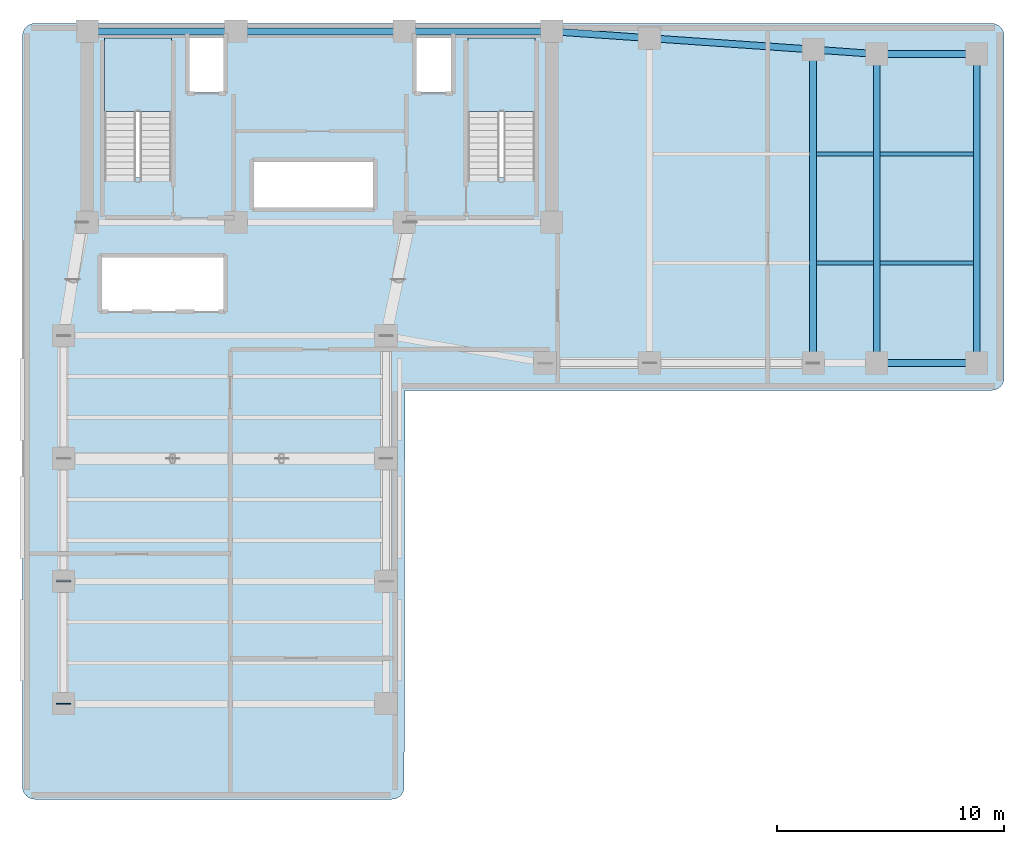
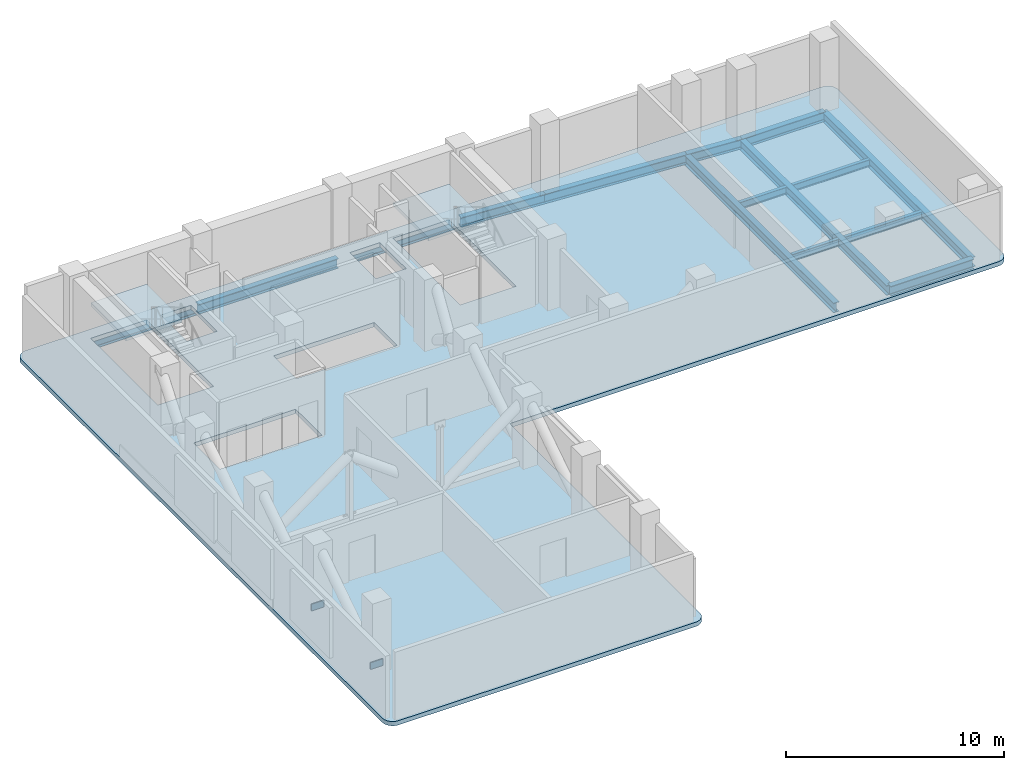
# One storey, part 3 of 6: 15 beams, 3 slabs, 2 plates, 2 elements without a shape of their own.
"""IFC4 building model written with IfcOpenShell, lengths in metres."""

from ifc_helpers import new_model, si_unit, direction, frame, origin, origin_2d, place, context, subcontext, project, spatial, polyline, rectangle, i_section, outline, extrude, material, layer, layer_set, material_profile, profile_set, type_object, element, aggregate, save


model = new_model("IFC4")

# Units and contexts
model_context = context("Model", 3, precision=1e-05, world=origin(), true_north=direction((0.0, 1.0)))
body_context = subcontext(model_context, "Body", "Model", "MODEL_VIEW")
ifc_project = project(units=[si_unit("LENGTHUNIT", "METRE"), si_unit("AREAUNIT", "SQUARE_METRE"), si_unit("VOLUMEUNIT", "CUBIC_METRE"), si_unit("PLANEANGLEUNIT", "RADIAN"), si_unit("MASSUNIT", "GRAM", prefix="KILO")], contexts=[model_context])

# Site, building, storey
site_placement = place(None, origin())
site = spatial("IfcSite", under=ifc_project, at=site_placement, CompositionType="ELEMENT")
building_placement = place(site_placement, origin())
building = spatial("IfcBuilding", under=site, at=building_placement, Name="Kuzgunbayir Cultural Tower", CompositionType="ELEMENT")
storey_placement = place(building_placement, frame((0.0, 0.0, 156.0)))
storey = spatial("IfcBuildingStorey", under=building, at=storey_placement, Name="L45", CompositionType="ELEMENT", Elevation=156.0)

# Beams
ifc_material_1 = material(Name="Steel S355J2", Category="steel")
ifc_material_profile_1 = material_profile(ifc_material_1, i_section(OverallWidth=0.300048828125, OverallDepth=0.550048828125, WebThickness=0.014892578125, FlangeThickness=0.029052734375, FilletRadius=0.027099609375, at=origin_2d()), Name="HEB 550")
ifc_profile_set_1 = profile_set([ifc_material_profile_1], Name="Steel S355J2")
beam_type_1 = type_object("IfcBeamType", Name="BM-EXT-HEB550", PredefinedType="BEAM", material=ifc_profile_set_1)
beam_1_placement = place(storey_placement, frame((26.89990234375, 42.199951171875, -0.52001953125), z_axis=(0.997574369175, -0.069608749203, 0.0), x_axis=(0.069608749203, 0.997574369175, 0.0)))
element("IfcBeam", 1, at=beam_1_placement, inside=storey, type_object=beam_type_1, Name="L45 Wing B North Girder 1", PredefinedType="BEAM", context=body_context, shape_type="SweptSolid", body=[
    extrude(i_section(OverallWidth=0.300048828125, OverallDepth=0.550048828125, WebThickness=0.014892578125, FlangeThickness=0.029052734375, FilletRadius=0.027099609375, at=origin_2d()), origin(), (0.0, 0.0, 1.0), 4.310546875),
])
beam_2_placement = place(storey_placement, frame((31.199951171875, 41.89990234375, -0.52001953125), z_axis=(0.997597388498, -0.069278066245, 0.0), x_axis=(0.069278066245, 0.997597388498, 0.0)))
element("IfcBeam", 2, at=beam_2_placement, inside=storey, type_object=beam_type_1, Name="L45 Wing B North Girder 2", PredefinedType="BEAM", context=body_context, shape_type="SweptSolid", body=[
    extrude(i_section(OverallWidth=0.300048828125, OverallDepth=0.550048828125, WebThickness=0.014892578125, FlangeThickness=0.029052734375, FilletRadius=0.027099609375, at=origin_2d()), origin(), (0.0, 0.0, 1.0), 7.21728515625),
])
beam_3_placement = place(storey_placement, frame((38.39990234375, 41.39990234375, -0.52001953125), z_axis=(0.997460024076, -0.071228508128, 0.0), x_axis=(0.071228508128, 0.997460024076, 0.0)))
element("IfcBeam", 3, at=beam_3_placement, inside=storey, type_object=beam_type_1, Name="L45 Wing B North Girder 3", PredefinedType="BEAM", context=body_context, shape_type="SweptSolid", body=[
    extrude(i_section(OverallWidth=0.300048828125, OverallDepth=0.550048828125, WebThickness=0.014892578125, FlangeThickness=0.029052734375, FilletRadius=0.027099609375, at=origin_2d()), origin(), (0.0, 0.0, 1.0), 2.80712890625),
])
for number, where, z_axis, x_axis, name in (
    (4, (41.199951171875, 27.60009765625, -0.52001953125), (1.0, 0.0, 0.0), (0.0, 1.0, 0.0), "L45 Wing B South Girder 4"),
    (5, (41.199951171875, 41.199951171875, -0.52001953125), (1.0, 0.0, 0.0), (0.0, 1.0, 0.0), "L45 Wing B North Girder 4"),
):
    element("IfcBeam", number, at=place(storey_placement, frame(where, z_axis=z_axis, x_axis=x_axis)), inside=storey, type_object=beam_type_1, Name=name, PredefinedType="BEAM", context=body_context, shape_type="SweptSolid", body=[
        extrude(i_section(OverallWidth=0.300048828125, OverallDepth=0.550048828125, WebThickness=0.014892578125, FlangeThickness=0.029052734375, FilletRadius=0.027099609375, at=origin_2d()), origin(), (0.0, 0.0, 1.0), 4.400146484375),
    ])
ifc_material_profile_2 = material_profile(ifc_material_1, i_section(OverallWidth=0.300048828125, OverallDepth=0.550048828125, WebThickness=0.014892578125, FlangeThickness=0.029052734375, FilletRadius=0.027099609375, at=origin_2d()), Name="HEB 550")
ifc_profile_set_2 = profile_set([ifc_material_profile_2], Name="Steel S355J2")
beam_type_2 = type_object("IfcBeamType", Name="BM-GIR-HEB550", PredefinedType="BEAM", material=ifc_profile_set_2)
beam_4_placement = place(storey_placement, frame((6.449951171875, 42.199951171875, -0.52001953125), z_axis=(1.0, 0.0, 0.0), x_axis=(0.0, 1.0, 0.0)))
element("IfcBeam", 6, at=beam_4_placement, inside=storey, type_object=beam_type_2, Name="L45 Core North Girder 1", PredefinedType="BEAM", context=body_context, shape_type="SweptSolid", body=[
    extrude(i_section(OverallWidth=0.300048828125, OverallDepth=0.550048828125, WebThickness=0.014892578125, FlangeThickness=0.029052734375, FilletRadius=0.027099609375, at=origin_2d()), origin(), (0.0, 0.0, 1.0), 6.550048828125),
])
beam_5_placement = place(storey_placement, frame((13.0, 42.199951171875, -0.52001953125), z_axis=(1.0, 0.0, 0.0), x_axis=(0.0, 1.0, 0.0)))
element("IfcBeam", 7, at=beam_5_placement, inside=storey, type_object=beam_type_2, Name="L45 Core North Girder 2", PredefinedType="BEAM", context=body_context, shape_type="SweptSolid", body=[
    extrude(i_section(OverallWidth=0.300048828125, OverallDepth=0.550048828125, WebThickness=0.014892578125, FlangeThickness=0.029052734375, FilletRadius=0.027099609375, at=origin_2d()), origin(), (0.0, 0.0, 1.0), 7.39990234375),
])
beam_6_placement = place(storey_placement, frame((20.39990234375, 42.199951171875, -0.52001953125), z_axis=(1.0, 0.0, 0.0), x_axis=(0.0, 1.0, 0.0)))
element("IfcBeam", 8, at=beam_6_placement, inside=storey, type_object=beam_type_2, Name="L45 Core North Girder 3", PredefinedType="BEAM", context=body_context, shape_type="SweptSolid", body=[
    extrude(i_section(OverallWidth=0.300048828125, OverallDepth=0.550048828125, WebThickness=0.014892578125, FlangeThickness=0.029052734375, FilletRadius=0.027099609375, at=origin_2d()), origin(), (0.0, 0.0, 1.0), 6.5),
])
beam_7_placement = place(storey_placement, frame((38.39990234375, 27.60009765625, -0.52001953125), z_axis=(0.0, 1.0, 0.0), x_axis=(-1.0, 0.0, 0.0)))
element("IfcBeam", 9, at=beam_7_placement, inside=storey, type_object=beam_type_2, Name="L45 Wing B Cross Girder 38", PredefinedType="BEAM", context=body_context, shape_type="SweptSolid", body=[
    extrude(i_section(OverallWidth=0.300048828125, OverallDepth=0.550048828125, WebThickness=0.014892578125, FlangeThickness=0.029052734375, FilletRadius=0.027099609375, at=origin_2d()), origin(), (0.0, 0.0, 1.0), 13.7998046875),
])
for number, where, z_axis, x_axis, name in (
    (10, (41.199951171875, 27.60009765625, -0.52001953125), (0.0, 1.0, 0.0), (-1.0, 0.0, 0.0), "L45 Wing B Cross Girder 41"),
    (11, (45.60009765625, 27.60009765625, -0.52001953125), (0.0, 1.0, 0.0), (-1.0, 0.0, 0.0), "L45 Wing B Cross Girder 45"),
):
    element("IfcBeam", number, at=place(storey_placement, frame(where, z_axis=z_axis, x_axis=x_axis)), inside=storey, type_object=beam_type_2, Name=name, PredefinedType="BEAM", context=body_context, shape_type="SweptSolid", body=[
        extrude(i_section(OverallWidth=0.300048828125, OverallDepth=0.550048828125, WebThickness=0.014892578125, FlangeThickness=0.029052734375, FilletRadius=0.027099609375, at=origin_2d()), origin(), (0.0, 0.0, 1.0), 13.599853515625),
    ])
ifc_material_profile_3 = material_profile(ifc_material_1, i_section(OverallWidth=0.179931640625, OverallDepth=0.39990234375, WebThickness=0.008544921875, FlangeThickness=0.013427734375, FilletRadius=0.02099609375, at=origin_2d()), Name="IPE 400")
ifc_profile_set_3 = profile_set([ifc_material_profile_3], Name="Steel S355J2")
beam_type_3 = type_object("IfcBeamType", Name="BM-JST-IPE400", PredefinedType="JOIST", material=ifc_profile_set_3)
for number, where, z_axis, x_axis, name in (
    (12, (38.550048828125, 32.0, -0.43994140625), (1.0, 0.0, 0.0), (0.0, 1.0, 0.0), "L45 Wing B Secondary Joist 2.1"),
    (13, (38.550048828125, 36.800048828125, -0.43994140625), (1.0, 0.0, 0.0), (0.0, 1.0, 0.0), "L45 Wing B Secondary Joist 2.2"),
):
    element("IfcBeam", number, at=place(storey_placement, frame(where, z_axis=z_axis, x_axis=x_axis)), inside=storey, type_object=beam_type_3, Name=name, PredefinedType="JOIST", context=body_context, shape_type="SweptSolid", body=[
        extrude(i_section(OverallWidth=0.179931640625, OverallDepth=0.39990234375, WebThickness=0.008544921875, FlangeThickness=0.013427734375, FilletRadius=0.02099609375, at=origin_2d()), origin(), (0.0, 0.0, 1.0), 2.5),
    ])
for number, where, z_axis, x_axis, name in (
    (14, (41.35009765625, 32.0, -0.43994140625), (1.0, 0.0, 0.0), (0.0, 1.0, 0.0), "L45 Wing B Secondary Joist 3.1"),
    (15, (41.35009765625, 36.800048828125, -0.43994140625), (1.0, 0.0, 0.0), (0.0, 1.0, 0.0), "L45 Wing B Secondary Joist 3.2"),
):
    element("IfcBeam", number, at=place(storey_placement, frame(where, z_axis=z_axis, x_axis=x_axis)), inside=storey, type_object=beam_type_3, Name=name, PredefinedType="JOIST", context=body_context, shape_type="SweptSolid", body=[
        extrude(i_section(OverallWidth=0.179931640625, OverallDepth=0.39990234375, WebThickness=0.008544921875, FlangeThickness=0.013427734375, FilletRadius=0.02099609375, at=origin_2d()), origin(), (0.0, 0.0, 1.0), 4.099853515625),
    ])

# Plates
ifc_material_2 = material(Name="Steel S460M", Category="steel")
ifc_layer_1 = layer(ifc_material_2, 0.044921875)
ifc_layer_set_1 = layer_set([ifc_layer_1], Name="Steel S460M")
plate_type_1 = type_object("IfcPlateType", Name="PLT-NODE-GUSSET-45", PredefinedType="USERDEFINED", material=ifc_layer_set_1)
plate_1_placement = place(storey_placement, frame((5.39990234375, 18.0, -0.1298828125), z_axis=(0.0, 0.0, 1.0), x_axis=(1.0, 0.0, 0.0)))
element("IfcPlate", 16, at=plate_1_placement, inside=storey, type_object=plate_type_1, Name="L45 Truss Gusset Plate ONT-L45-1 Start", ObjectType="GUSSET_PLATE", PredefinedType="USERDEFINED", context=body_context, shape_type="SweptSolid", body=[
    extrude(rectangle(XDim=0.64990234375, YDim=0.044921875, at=origin_2d()), origin(), (0.0, 0.0, 1.0), 0.5),
])
ifc_layer_2 = layer(ifc_material_2, 0.050048828125)
ifc_layer_set_2 = layer_set([ifc_layer_2], Name="Steel S460M")
plate_type_2 = type_object("IfcPlateType", Name="PLT-NODE-GUSSET-50", PredefinedType="USERDEFINED", material=ifc_layer_set_2)
plate_2_placement = place(storey_placement, frame((5.39990234375, 12.60009765625, -0.1298828125), z_axis=(0.0, 0.0, 1.0), x_axis=(1.0, 0.0, 0.0)))
element("IfcPlate", 17, at=plate_2_placement, inside=storey, type_object=plate_type_2, Name="L45 Truss Gusset Plate ONT-L45-8 Start", ObjectType="GUSSET_PLATE", PredefinedType="USERDEFINED", context=body_context, shape_type="SweptSolid", body=[
    extrude(rectangle(XDim=0.64990234375, YDim=0.050048828125, at=origin_2d()), origin(), (0.0, 0.0, 1.0), 0.5),
])

# Stair, slab
ifc_material_3 = material(Name="Concrete C40/50", Category="concrete")
stair_type = type_object("IfcStairType", Name="STR-EXIT-CORE", PredefinedType="HALF_TURN_STAIR", material=ifc_material_3)
stair_1_placement = place(storey_placement, origin())
stair_1 = element("IfcStair", 18, at=stair_1_placement, inside=storey, type_object=stair_type, Name="L45 ST-1", PredefinedType="HALF_TURN_STAIR")
ifc_layer_3 = layer(ifc_material_3, 0.179931640625)
ifc_layer_set_3 = layer_set([ifc_layer_3], Name="Concrete C40/50")
slab_type_1 = type_object("IfcSlabType", Name="SLB-LANDING-180", PredefinedType="LANDING", material=ifc_layer_set_3)
slab_1_placement = place(storey_placement, frame((0.0, 0.0, 1.800048828125)))
slab_1 = element("IfcSlab", 19, at=slab_1_placement, type_object=slab_type_1, Name="ST-1 landing 1", PredefinedType="LANDING", context=body_context, shape_type="SweptSolid", body=[
    extrude(outline(polyline([(10.159912109375, 38.679931640625), (10.159912109375, 41.89990234375), (7.199951171875, 41.89990234375), (7.199951171875, 38.679931640625), (10.159912109375, 38.679931640625)])), origin(), (0.0, 0.0, 1.0), 0.199951171875),
])
aggregate(stair_1, [slab_1])

stair_2_placement = place(storey_placement, origin())
stair_2 = element("IfcStair", 20, at=stair_2_placement, inside=storey, type_object=stair_type, Name="L45 ST-2", PredefinedType="HALF_TURN_STAIR")
slab_2_placement = place(storey_placement, frame((0.0, 0.0, 1.800048828125)))
slab_2 = element("IfcSlab", 21, at=slab_2_placement, type_object=slab_type_1, Name="ST-2 landing 1", PredefinedType="LANDING", context=body_context, shape_type="SweptSolid", body=[
    extrude(outline(polyline([(26.159912109375, 38.679931640625), (26.159912109375, 41.89990234375), (23.199951171875, 41.89990234375), (23.199951171875, 38.679931640625), (26.159912109375, 38.679931640625)])), origin(), (0.0, 0.0, 1.0), 0.199951171875),
])
aggregate(stair_2, [slab_2])

# Slab
ifc_layer_4 = layer(ifc_material_3, 0.239990234375)
ifc_layer_set_4 = layer_set([ifc_layer_4], Name="Concrete C40/50")
slab_type_2 = type_object("IfcSlabType", Name="SLB-TRN-240", PredefinedType="FLOOR", material=ifc_layer_set_4)
slab_3_placement = place(storey_placement, frame((0.0, 0.0, -0.239990234375)))
element("IfcSlab", 22, at=slab_3_placement, inside=storey, type_object=slab_type_2, Name="L45 Tower 1 Floor Slab T1-MAIN", PredefinedType="FLOOR", context=body_context, shape_type="SweptSolid", body=[
    extrude(outline(polyline([(20.39990234375, 8.949951171875), (20.389892578125, 8.840087890625), (20.360107421875, 8.739990234375), (20.31005859375, 8.639892578125), (20.239990234375, 8.56005859375), (20.159912109375, 8.489990234375), (20.06005859375, 8.43994140625), (19.9599609375, 8.409912109375), (19.85009765625, 8.39990234375), (4.14990234375, 8.39990234375), (4.0400390625, 8.409912109375), (3.93994140625, 8.43994140625), (3.840087890625, 8.489990234375), (3.760009765625, 8.56005859375), (3.68994140625, 8.639892578125), (3.639892578125, 8.739990234375), (3.610107421875, 8.840087890625), (3.60009765625, 8.949951171875), (3.60009765625, 42.0), (3.610107421875, 42.110107421875), (3.639892578125, 42.2099609375), (3.68994140625, 42.31005859375), (3.760009765625, 42.389892578125), (3.840087890625, 42.4599609375), (3.93994140625, 42.510009765625), (4.0400390625, 42.5400390625), (4.14990234375, 42.550048828125), (46.25, 42.550048828125), (46.360107421875, 42.5400390625), (46.4599609375, 42.510009765625), (46.56005859375, 42.4599609375), (46.639892578125, 42.389892578125), (46.7099609375, 42.31005859375), (46.760009765625, 42.2099609375), (46.7900390625, 42.110107421875), (46.800048828125, 42.0), (46.800048828125, 26.949951171875), (46.7900390625, 26.840087890625), (46.760009765625, 26.739990234375), (46.7099609375, 26.639892578125), (46.639892578125, 26.56005859375), (46.56005859375, 26.489990234375), (46.4599609375, 26.43994140625), (46.360107421875, 26.409912109375), (46.25, 26.39990234375), (20.429931640625, 26.39990234375), (20.39990234375, 8.949951171875)]), holes=[polyline([(7.199951171875, 35.760009765625), (7.199951171875, 41.89990234375), (10.159912109375, 41.89990234375), (10.159912109375, 35.760009765625), (7.199951171875, 35.760009765625)]), polyline([(23.199951171875, 35.760009765625), (23.199951171875, 41.89990234375), (26.159912109375, 41.89990234375), (26.159912109375, 35.760009765625), (23.199951171875, 35.760009765625)]), polyline([(13.75, 34.39990234375), (13.75, 36.5), (19.080078125, 36.5), (19.080078125, 34.39990234375), (13.75, 34.39990234375)]), polyline([(7.10009765625, 29.89990234375), (7.10009765625, 32.300048828125), (12.5, 32.300048828125), (12.5, 29.89990234375), (7.10009765625, 29.89990234375)]), polyline([(10.89990234375, 39.5), (10.89990234375, 41.89990234375), (12.5, 41.89990234375), (12.5, 39.5), (10.89990234375, 39.5)]), polyline([(20.89990234375, 39.5), (20.89990234375, 41.89990234375), (22.5, 41.89990234375), (22.5, 39.5), (20.89990234375, 39.5)])]), origin(), (0.0, 0.0, 1.0), 0.239990234375),
])

save(model, "model.ifc")
